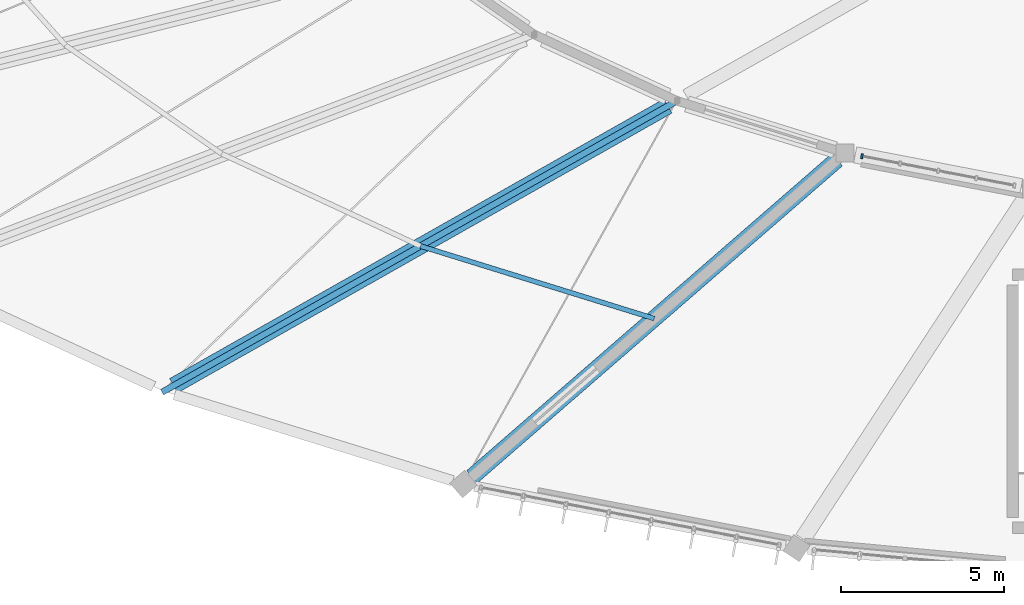
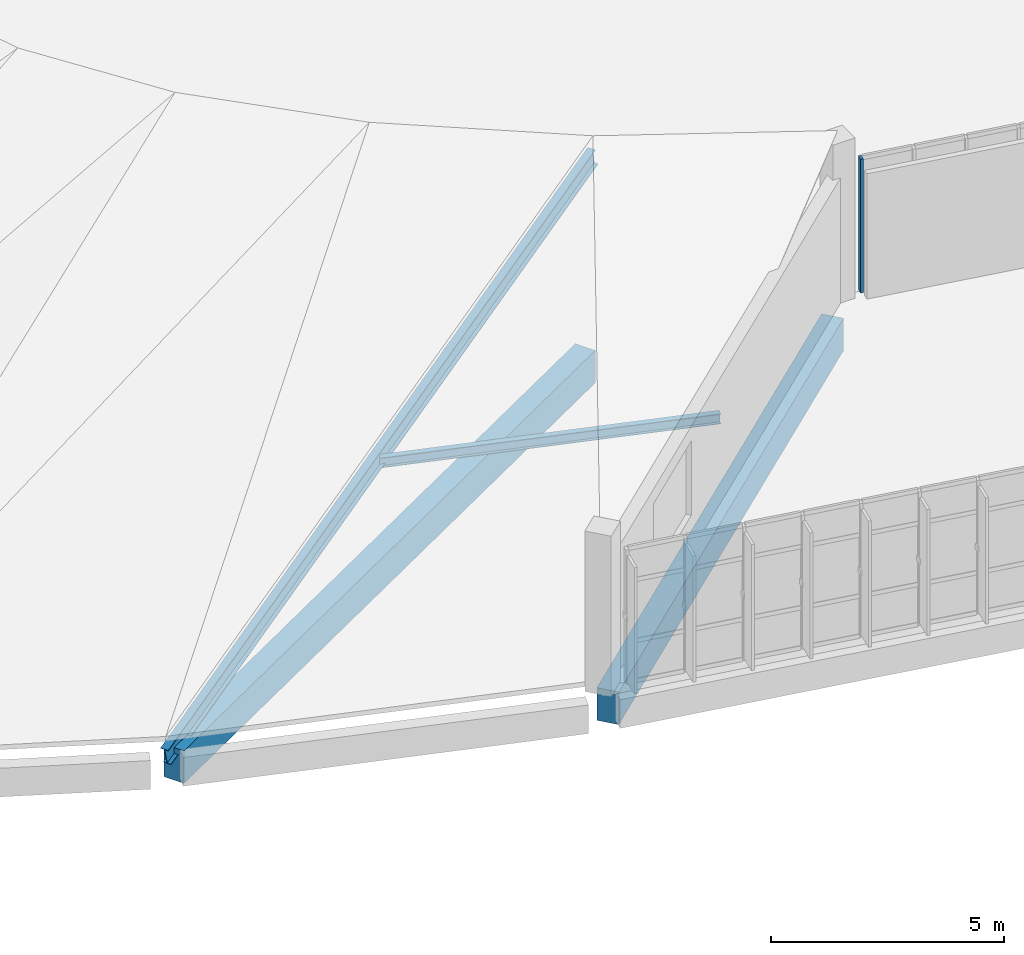
# One storey, part 37 of 142: 3 members, 2 beams, 1 element without a shape of its own.
"""IFC4 building model written with IfcOpenShell, lengths in metres."""

from ifc_helpers import new_model, si_unit, direction, frame, origin, origin_2d, place, context, subcontext, project, spatial, rectangle, i_section, extrude, material, layer, layer_set, material_profile, profile_set, type_object, element, aggregate, save


model = new_model("IFC4")

# Units and contexts
model_context = context("Model", 3, precision=1e-05, world=origin(), true_north=direction((0.0, 1.0)))
body_context = subcontext(model_context, "Body", "Model", "MODEL_VIEW")
ifc_project = project(units=[si_unit("LENGTHUNIT", "METRE"), si_unit("AREAUNIT", "SQUARE_METRE"), si_unit("VOLUMEUNIT", "CUBIC_METRE"), si_unit("PLANEANGLEUNIT", "RADIAN"), si_unit("MASSUNIT", "GRAM", prefix="KILO")], contexts=[model_context])

# Site, building, storey
site_placement = place(None, origin())
site = spatial("IfcSite", under=ifc_project, at=site_placement, CompositionType="ELEMENT")
building_placement = place(site_placement, origin())
building = spatial("IfcBuilding", under=site, at=building_placement, Name="Corvandel Quay Wholesale Market", CompositionType="ELEMENT")
storey_placement = place(building_placement, frame((0.0, 0.0, 10.800048828125)))
storey = spatial("IfcBuildingStorey", under=building, at=storey_placement, Name="L02", CompositionType="ELEMENT", Elevation=10.800048828125)

# Curtain wall, member
ifc_material_1 = material(Name="Bronze anodised aluminium and low-E insulated glazing", Category="aluminium")
ifc_layer = layer(ifc_material_1, 0.174072265625)
ifc_layer_set = layer_set([ifc_layer], Name="Bronze anodised aluminium and low-E insulated glazing")
curtain_wall_type = type_object("IfcCurtainWallType", Name="Stick Curtain Wall System CW07 H3630", PredefinedType="NOTDEFINED", material=ifc_layer_set)
curtain_wall_placement = place(storey_placement, origin())
curtain_wall = element("IfcCurtainWall", 1, at=curtain_wall_placement, inside=storey, type_object=curtain_wall_type, Name="Curtain Wall CW-0111", PredefinedType="NOTDEFINED")
ifc_material_2 = material(Name="Anodised aluminium 6063-T6", Category="aluminium")
ifc_material_profile_1 = material_profile(ifc_material_2, rectangle(XDim=0.06494140625, YDim=0.14990234375, at=origin_2d()), Name="ALU-MUL-65x150")
ifc_profile_set_1 = profile_set([ifc_material_profile_1], Name="Anodised aluminium 6063-T6")
member_type_1 = type_object("IfcMemberType", Name="Curtain Wall Mullion ML02 65x150", PredefinedType="MULLION", material=ifc_profile_set_1)
member_1_placement = place(storey_placement, frame((99.66552734375, 102.996826171875, 0.0), z_axis=(0.0, 0.0, 1.0), x_axis=(-0.982024659632, 0.188752663223, 0.0)))
member_1 = element("IfcMember", 2, at=member_1_placement, type_object=member_type_1, Name="Mullion CW-0111-M00", PredefinedType="MULLION", context=body_context, shape_type="SweptSolid", body=[
    extrude(rectangle(XDim=0.06494140625, YDim=0.14990234375, at=origin_2d()), origin(), (0.0, 0.0, 1.0), 3.5),
])
aggregate(curtain_wall, [member_1])

# Beams
ifc_material_3 = material(Name="Precast concrete C45/55", Category="concrete")
ifc_material_profile_2 = material_profile(ifc_material_3, rectangle(XDim=0.5, YDim=0.85009765625, at=origin_2d()), Name="PC-GIR-500x850")
ifc_profile_set_2 = profile_set([ifc_material_profile_2], Name="Precast concrete C45/55")
beam_type = type_object("IfcBeamType", Name="Fish Hall Radial Girder G04 500x850", PredefinedType="USERDEFINED", material=ifc_profile_set_2)
beam_1_placement = place(storey_placement, frame((78.602294921875, 95.973876953125, -0.7451171875), z_axis=(0.87034431954, 0.492443667281, 0.0), x_axis=(-0.492443667281, 0.87034431954, 0.0)))
element("IfcBeam", 3, at=beam_1_placement, inside=storey, type_object=beam_type, Name="Beam BM-0666", ObjectType="GIRDER", PredefinedType="USERDEFINED", context=body_context, shape_type="SweptSolid", body=[
    extrude(rectangle(XDim=0.5, YDim=0.85009765625, at=origin_2d()), origin(), (0.0, 0.0, 1.0), 17.3818359375),
])
beam_2_placement = place(storey_placement, frame((87.734619140625, 93.185302734375, -0.7451171875), z_axis=(0.754940447909, 0.655793351683, 0.0), x_axis=(-0.655793351683, 0.754940447909, 0.0)))
element("IfcBeam", 4, at=beam_2_placement, inside=storey, type_object=beam_type, Name="Beam BM-0673", ObjectType="GIRDER", PredefinedType="USERDEFINED", context=body_context, shape_type="SweptSolid", body=[
    extrude(rectangle(XDim=0.5, YDim=0.85009765625, at=origin_2d()), origin(), (0.0, 0.0, 1.0), 14.794189453125),
])

# Members
ifc_material_4 = material(Name="Steel A992 Grade 50", Category="steel")
ifc_material_profile_3 = material_profile(ifc_material_4, i_section(OverallWidth=0.14697265625, OverallDepth=0.261962890625, WebThickness=0.006591796875, FlangeThickness=0.01123046875, at=origin_2d()), Name="W10X26")
ifc_profile_set_3 = profile_set([ifc_material_profile_3], Name="Steel A992 Grade 50")
member_type_2 = type_object("IfcMemberType", Name="Roof Clerestory Purlin Rafter RF03 W10X26", PredefinedType="RAFTER", material=ifc_profile_set_3)
member_2_placement = place(storey_placement, frame((86.155517578125, 100.24755859375, 1.93798828125), z_axis=(0.955092130578, -0.296308997682, 0.0), x_axis=(0.296308997682, 0.955092130578, 0.0)))
element("IfcMember", 5, at=member_2_placement, inside=storey, type_object=member_type_2, Name="Member MEM-0045", PredefinedType="RAFTER", context=body_context, shape_type="SweptSolid", body=[
    extrude(i_section(OverallWidth=0.14697265625, OverallDepth=0.261962890625, WebThickness=0.006591796875, FlangeThickness=0.01123046875, at=origin_2d()), origin(), (0.0, 0.0, 1.0), 7.490478515625),
])
ifc_material_profile_4 = material_profile(ifc_material_4, i_section(OverallWidth=0.19091796875, OverallDepth=0.4599609375, WebThickness=0.010009765625, FlangeThickness=0.01611328125, at=origin_2d()), Name="W18X55")
ifc_profile_set_4 = profile_set([ifc_material_profile_4], Name="Steel A992 Grade 50")
member_type_3 = type_object("IfcMemberType", Name="Sawtooth Clerestory Rafter RF02 W18X55", PredefinedType="RAFTER", material=ifc_profile_set_4)
member_3_placement = place(storey_placement, frame((78.302001953125, 95.803955078125, -0.340087890625), z_axis=(0.840687500644, 0.475656952732, 0.258833903456), x_axis=(-0.492438342969, 0.870347332031, 0.0)))
element("IfcMember", 6, at=member_3_placement, inside=storey, type_object=member_type_3, Name="Member MEM-0043", PredefinedType="RAFTER", context=body_context, shape_type="SweptSolid", body=[
    extrude(i_section(OverallWidth=0.19091796875, OverallDepth=0.4599609375, WebThickness=0.010009765625, FlangeThickness=0.01611328125, at=origin_2d()), origin(), (0.0, 0.0, 1.0), 18.68359375),
])

save(model, "model.ifc")
